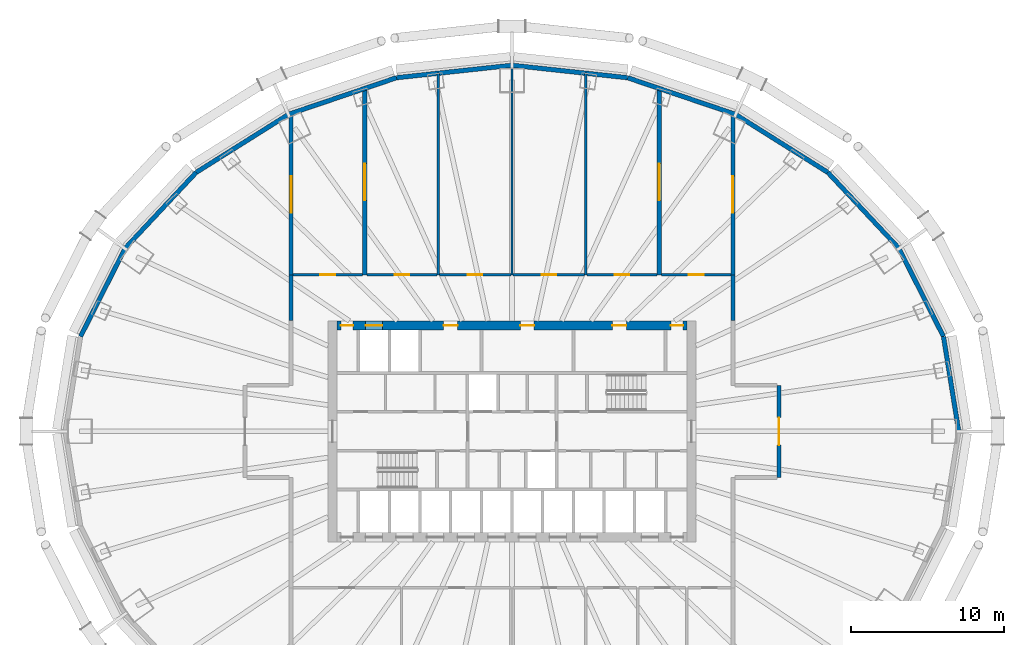
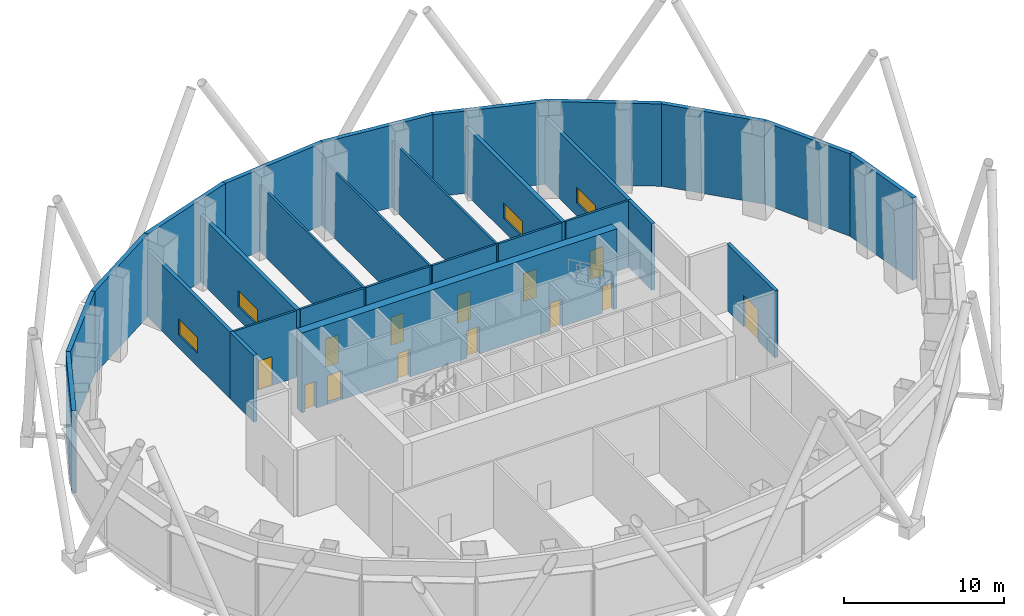
# One storey, part 6 of 13: 28 walls, 13 doors, 4 windows, 17 openings.
"""IFC4 building model written with IfcOpenShell, lengths in metres."""

from ifc_helpers import new_model, si_unit, direction, frame, frame_2d, origin, place, context, subcontext, project, spatial, rectangle, extrude, material, layer, layer_set, type_object, element, fill, save


model = new_model("IFC4")

# Units and contexts
model_context = context("Model", 3, precision=1e-05, world=origin(), true_north=direction((0.0, 1.0)))
body_context = subcontext(model_context, "Body", "Model", "MODEL_VIEW")
ifc_project = project(units=[si_unit("LENGTHUNIT", "METRE"), si_unit("AREAUNIT", "SQUARE_METRE"), si_unit("VOLUMEUNIT", "CUBIC_METRE"), si_unit("PLANEANGLEUNIT", "RADIAN"), si_unit("MASSUNIT", "GRAM", prefix="KILO")], contexts=[model_context])

# Site, building, storey
site_placement = place(None, origin())
site = spatial("IfcSite", under=ifc_project, at=site_placement, CompositionType="ELEMENT")
building_placement = place(site_placement, origin())
building = spatial("IfcBuilding", under=site, at=building_placement, Name="Siaravel Broadcast Tower", CompositionType="ELEMENT")
storey_placement = place(building_placement, frame((0.0, 0.0, 7.0)))
storey = spatial("IfcBuildingStorey", under=building, at=storey_placement, Name="L01", CompositionType="ELEMENT", Elevation=7.0)

# Wall, opening, window
ifc_material_1 = material(Name="Double-leaf acoustic partition", Category="gypsum")
ifc_layer_1 = layer(ifc_material_1, 0.280029296875)
ifc_layer_set_1 = layer_set([ifc_layer_1], Name="Double-leaf acoustic partition")
wall_type_1 = type_object("IfcWallType", Name="Acoustic double-leaf wall 280", PredefinedType="PARTITIONING", material=ifc_layer_set_1)
wall_1_placement = place(storey_placement, frame((-9.60009765625, 10.199951171875, 0.0), z_axis=(0.0, 0.0, 1.0), x_axis=(0.0, 1.0, 0.0)))
wall_1 = element("IfcWall", 1, at=wall_1_placement, inside=storey, type_object=wall_type_1, Name="L01 partition 8", PredefinedType="PARTITIONING", context=body_context, shape_type="SweptSolid", body=[
    extrude(rectangle(XDim=12.102783203125, YDim=0.280029296875, at=frame_2d((6.05126953125, 0.0))), origin(), (0.0, 0.0, 1.0), 5.10009765625),
])
opening_1_placement = place(wall_1_placement, frame((4.851318359375, 0.0, 1.0)))
opening_1 = element("IfcOpeningElement", 2, at=opening_1_placement, cuts=wall_1, Name="Opening L01-W01", PredefinedType="OPENING", context=body_context, shape_type="SweptSolid", body=[
    extrude(rectangle(XDim=2.39990234375, YDim=1.199951171875, at=frame_2d((1.199951171875, 0.60009765625))), frame((0.0, 0.14990234375, 0.0), z_axis=(0.0, -1.0, 0.0), x_axis=(1.0, 0.0, 0.0)), (0.0, 0.0, 1.0), 0.300048828125),
])
ifc_material_2 = material(Name="Laminated acoustic glass", Category="glass")
window_type = type_object("IfcWindowType", Name="Control room window 2400", PartitioningType="DOUBLE_PANEL_VERTICAL", PredefinedType="WINDOW", material=ifc_material_2)
window_1_placement = place(opening_1_placement, origin())
window_1 = element("IfcWindow", 3, at=window_1_placement, inside=storey, type_object=window_type, Name="L01 observation window 1", OverallHeight=1.199951171875, OverallWidth=2.39990234375, PartitioningType="SINGLE_PANEL", PredefinedType="WINDOW", context=body_context, shape_type="SweptSolid", body=[
    extrude(rectangle(XDim=2.39990234375, YDim=1.199951171875, at=frame_2d((1.199951171875, 0.60009765625))), frame((0.0, 0.030029296875, 0.0), z_axis=(0.0, -1.0, 0.0), x_axis=(1.0, 0.0, 0.0)), (0.0, 0.0, 1.0), 0.06005859375),
])
fill(opening_1, window_1)

wall_2_placement = place(storey_placement, frame((9.60009765625, 10.199951171875, 0.0), z_axis=(0.0, 0.0, 1.0), x_axis=(0.0, 1.0, 0.0)))
wall_2 = element("IfcWall", 4, at=wall_2_placement, inside=storey, type_object=wall_type_1, Name="L01 partition 9", PredefinedType="PARTITIONING", context=body_context, shape_type="SweptSolid", body=[
    extrude(rectangle(XDim=12.102783203125, YDim=0.280029296875, at=frame_2d((6.05126953125, 0.0))), origin(), (0.0, 0.0, 1.0), 5.10009765625),
])
opening_2_placement = place(wall_2_placement, frame((4.851318359375, 0.0, 1.0)))
opening_2 = element("IfcOpeningElement", 5, at=opening_2_placement, cuts=wall_2, Name="Opening L01-W02", PredefinedType="OPENING", context=body_context, shape_type="SweptSolid", body=[
    extrude(rectangle(XDim=2.39990234375, YDim=1.199951171875, at=frame_2d((1.199951171875, 0.60009765625))), frame((0.0, 0.14990234375, 0.0), z_axis=(0.0, -1.0, 0.0), x_axis=(1.0, 0.0, 0.0)), (0.0, 0.0, 1.0), 0.300048828125),
])
window_2_placement = place(opening_2_placement, origin())
window_2 = element("IfcWindow", 6, at=window_2_placement, inside=storey, type_object=window_type, Name="L01 observation window 2", OverallHeight=1.199951171875, OverallWidth=2.39990234375, PartitioningType="SINGLE_PANEL", PredefinedType="WINDOW", context=body_context, shape_type="SweptSolid", body=[
    extrude(rectangle(XDim=2.39990234375, YDim=1.199951171875, at=frame_2d((1.199951171875, 0.60009765625))), frame((0.0, 0.030029296875, 0.0), z_axis=(0.0, -1.0, 0.0), x_axis=(1.0, 0.0, 0.0)), (0.0, 0.0, 1.0), 0.06005859375),
])
fill(opening_2, window_2)

# Walls
ifc_material_3 = material(Name="Concrete C40/50", Category="concrete")
ifc_layer_2 = layer(ifc_material_3, 0.300048828125)
ifc_layer_set_2 = layer_set([ifc_layer_2], Name="Concrete C40/50")
wall_type_2 = type_object("IfcWallType", Name="Acoustic studio wall", PredefinedType="STANDARD", material=ifc_layer_set_2)
wall_3_placement = place(storey_placement, frame((29.125, 0.0, 0.0), z_axis=(0.0, 0.0, 1.0), x_axis=(-0.158684207, 0.987329389, 0.0)))
element("IfcWall", 7, at=wall_3_placement, inside=storey, type_object=wall_type_2, Name="L01 studio acoustic wall 01", PredefinedType="STANDARD", context=body_context, shape_type="SweptSolid", body=[
    extrude(rectangle(XDim=6.2587890625, YDim=0.300048828125, at=frame_2d((3.12939453125, 0.0))), origin(), (0.0, 0.0, 1.0), 6.300048828125),
])
wall_4_placement = place(storey_placement, frame((28.1318359375, 6.179443359375, 0.0), z_axis=(0.0, 0.0, 1.0), x_axis=(-0.45123552, 0.8924049, 0.0)))
element("IfcWall", 8, at=wall_4_placement, inside=storey, type_object=wall_type_2, Name="L01 studio acoustic wall 02", PredefinedType="STANDARD", context=body_context, shape_type="SweptSolid", body=[
    extrude(rectangle(XDim=6.451416015625, YDim=0.300048828125, at=frame_2d((3.2255859375, 0.0))), origin(), (0.0, 0.0, 1.0), 6.300048828125),
])
wall_5_placement = place(storey_placement, frame((25.220703125, 11.936767578125, 0.0), z_axis=(0.0, 0.0, 1.0), x_axis=(-0.683676058, 0.729785617, 0.0)))
element("IfcWall", 9, at=wall_5_placement, inside=storey, type_object=wall_type_2, Name="L01 studio acoustic wall 03", PredefinedType="STANDARD", context=body_context, shape_type="SweptSolid", body=[
    extrude(rectangle(XDim=6.77197265625, YDim=0.300048828125, at=frame_2d((3.385986328125, 0.0))), origin(), (0.0, 0.0, 1.0), 6.300048828125),
])
wall_6_placement = place(storey_placement, frame((20.5908203125, 16.87890625, 0.0), z_axis=(0.0, 0.0, 1.0), x_axis=(-0.846653753, 0.532144175, 0.0)))
element("IfcWall", 10, at=wall_6_placement, inside=storey, type_object=wall_type_2, Name="L01 studio acoustic wall 04", PredefinedType="STANDARD", context=body_context, shape_type="SweptSolid", body=[
    extrude(rectangle(XDim=7.12451171875, YDim=0.300048828125, at=frame_2d((3.562255859375, 0.0))), origin(), (0.0, 0.0, 1.0), 6.300048828125),
])
wall_7_placement = place(storey_placement, frame((14.558837890625, 20.670166015625, 0.0), z_axis=(0.0, 0.0, 1.0), x_axis=(-0.946977627, 0.321299508, 0.0)))
element("IfcWall", 11, at=wall_7_placement, inside=storey, type_object=wall_type_2, Name="L01 studio acoustic wall 05", PredefinedType="STANDARD", context=body_context, shape_type="SweptSolid", body=[
    extrude(rectangle(XDim=7.416259765625, YDim=0.300048828125, at=frame_2d((3.7080078125, 0.0))), origin(), (0.0, 0.0, 1.0), 6.300048828125),
])
for number, where, z_axis, x_axis, name in (
    (12, (7.535888671875, 23.052978515625, 0.0), (0.0, 0.0, 1.0), (-0.994234458, 0.107227995, 0.0), "L01 studio acoustic wall 06"),
    (13, (0.0, 23.86572265625, 0.0), (0.0, 0.0, 1.0), (-0.994234458, -0.107227995, 0.0), "L01 studio acoustic wall 07"),
):
    element("IfcWall", number, at=place(storey_placement, frame(where, z_axis=z_axis, x_axis=x_axis)), inside=storey, type_object=wall_type_2, Name=name, PredefinedType="STANDARD", context=body_context, shape_type="SweptSolid", body=[
        extrude(rectangle(XDim=7.57958984375, YDim=0.300048828125, at=frame_2d((3.789794921875, 0.0))), origin(), (0.0, 0.0, 1.0), 6.300048828125),
    ])
wall_8_placement = place(storey_placement, frame((-7.535888671875, 23.052978515625, 0.0), z_axis=(0.0, 0.0, 1.0), x_axis=(-0.946977627, -0.321299508, 0.0)))
element("IfcWall", 14, at=wall_8_placement, inside=storey, type_object=wall_type_2, Name="L01 studio acoustic wall 08", PredefinedType="STANDARD", context=body_context, shape_type="SweptSolid", body=[
    extrude(rectangle(XDim=7.416259765625, YDim=0.300048828125, at=frame_2d((3.7080078125, 0.0))), origin(), (0.0, 0.0, 1.0), 6.300048828125),
])
wall_9_placement = place(storey_placement, frame((-14.558837890625, 20.670166015625, 0.0), z_axis=(0.0, 0.0, 1.0), x_axis=(-0.846653753, -0.532144175, 0.0)))
element("IfcWall", 15, at=wall_9_placement, inside=storey, type_object=wall_type_2, Name="L01 studio acoustic wall 09", PredefinedType="STANDARD", context=body_context, shape_type="SweptSolid", body=[
    extrude(rectangle(XDim=7.12451171875, YDim=0.300048828125, at=frame_2d((3.562255859375, 0.0))), origin(), (0.0, 0.0, 1.0), 6.300048828125),
])
wall_10_placement = place(storey_placement, frame((-20.5908203125, 16.87890625, 0.0), z_axis=(0.0, 0.0, 1.0), x_axis=(-0.683676058, -0.729785617, 0.0)))
element("IfcWall", 16, at=wall_10_placement, inside=storey, type_object=wall_type_2, Name="L01 studio acoustic wall 10", PredefinedType="STANDARD", context=body_context, shape_type="SweptSolid", body=[
    extrude(rectangle(XDim=6.77197265625, YDim=0.300048828125, at=frame_2d((3.385986328125, 0.0))), origin(), (0.0, 0.0, 1.0), 6.300048828125),
])
wall_11_placement = place(storey_placement, frame((-25.220703125, 11.936767578125, 0.0), z_axis=(0.0, 0.0, 1.0), x_axis=(-0.45123552, -0.8924049, 0.0)))
element("IfcWall", 17, at=wall_11_placement, inside=storey, type_object=wall_type_2, Name="L01 studio acoustic wall 11", PredefinedType="STANDARD", context=body_context, shape_type="SweptSolid", body=[
    extrude(rectangle(XDim=6.451416015625, YDim=0.300048828125, at=frame_2d((3.2255859375, 0.0))), origin(), (0.0, 0.0, 1.0), 6.300048828125),
])

# Wall, openings, doors
ifc_material_4 = material(Name="Concrete C60/75", Category="concrete")
ifc_layer_3 = layer(ifc_material_4, 0.60009765625)
ifc_layer_set_3 = layer_set([ifc_layer_3], Name="Concrete C60/75")
wall_type_3 = type_object("IfcWallType", Name="Core wall 600", PredefinedType="SHEAR", material=ifc_layer_set_3)
wall_12_placement = place(storey_placement, frame((-11.39990234375, 6.89990234375, 0.0), z_axis=(0.0, 0.0, 1.0), x_axis=(1.0, 0.0, 0.0)))
wall_12 = element("IfcWall", 18, at=wall_12_placement, inside=storey, type_object=wall_type_3, Name="L01 core wall ON", PredefinedType="SHEAR", context=body_context, shape_type="SweptSolid", body=[
    extrude(rectangle(XDim=22.7998046875, YDim=0.60009765625, at=frame_2d((11.39990234375, 0.0))), origin(), (0.0, 0.0, 1.0), 6.10009765625),
])
opening_3_placement = place(wall_12_placement, frame((1.85009765625, 0.0, 0.0)))
opening_3 = element("IfcOpeningElement", 19, at=opening_3_placement, cuts=wall_12, Name="Opening LD-SV2-L01", PredefinedType="OPENING", context=body_context, shape_type="SweptSolid", body=[
    extrude(rectangle(XDim=1.10009765625, YDim=2.199951171875, at=frame_2d((0.550048828125, 1.10009765625))), frame((0.0, 0.31005859375, 0.0), z_axis=(0.0, -1.0, 0.0), x_axis=(1.0, 0.0, 0.0)), (0.0, 0.0, 1.0), 0.6201171875),
])
opening_4_placement = place(wall_12_placement, frame((6.949951171875, 0.0, 0.0)))
opening_4 = element("IfcOpeningElement", 20, at=opening_4_placement, cuts=wall_12, Name="Opening L01-DFN2", PredefinedType="OPENING", context=body_context, shape_type="SweptSolid", body=[
    extrude(rectangle(XDim=0.89990234375, YDim=2.10009765625, at=frame_2d((0.449951171875, 1.050048828125))), frame((0.0, 0.31005859375, 0.0), z_axis=(0.0, -1.0, 0.0), x_axis=(1.0, 0.0, 0.0)), (0.0, 0.0, 1.0), 0.6201171875),
])
opening_5_placement = place(wall_12_placement, frame((11.949951171875, 0.0, 0.0)))
opening_5 = element("IfcOpeningElement", 21, at=opening_5_placement, cuts=wall_12, Name="Opening L01-DFN4", PredefinedType="OPENING", context=body_context, shape_type="SweptSolid", body=[
    extrude(rectangle(XDim=0.89990234375, YDim=2.10009765625, at=frame_2d((0.449951171875, 1.050048828125))), frame((0.0, 0.31005859375, 0.0), z_axis=(0.0, -1.0, 0.0), x_axis=(1.0, 0.0, 0.0)), (0.0, 0.0, 1.0), 0.6201171875),
])
opening_6_placement = place(wall_12_placement, frame((17.949951171875, 0.0, 0.0)))
opening_6 = element("IfcOpeningElement", 22, at=opening_6_placement, cuts=wall_12, Name="Opening L01-DFN7", PredefinedType="OPENING", context=body_context, shape_type="SweptSolid", body=[
    extrude(rectangle(XDim=0.89990234375, YDim=2.10009765625, at=frame_2d((0.449951171875, 1.050048828125))), frame((0.0, 0.31005859375, 0.0), z_axis=(0.0, -1.0, 0.0), x_axis=(1.0, 0.0, 0.0)), (0.0, 0.0, 1.0), 0.6201171875),
])
opening_7_placement = place(wall_12_placement, frame((0.25, 0.0, 0.0)))
opening_7 = element("IfcOpeningElement", 23, at=opening_7_placement, cuts=wall_12, Name="Opening L01-DRNW", PredefinedType="OPENING", context=body_context, shape_type="SweptSolid", body=[
    extrude(rectangle(XDim=0.800048828125, YDim=2.050048828125, at=frame_2d((0.39990234375, 1.02490234375))), frame((0.0, 0.31005859375, 0.0), z_axis=(0.0, -1.0, 0.0), x_axis=(1.0, 0.0, 0.0)), (0.0, 0.0, 1.0), 0.6201171875),
])
opening_8_placement = place(wall_12_placement, frame((21.75, 0.0, 0.0)))
opening_8 = element("IfcOpeningElement", 24, at=opening_8_placement, cuts=wall_12, Name="Opening L01-DRNE", PredefinedType="OPENING", context=body_context, shape_type="SweptSolid", body=[
    extrude(rectangle(XDim=0.800048828125, YDim=2.050048828125, at=frame_2d((0.39990234375, 1.02490234375))), frame((0.0, 0.31005859375, 0.0), z_axis=(0.0, -1.0, 0.0), x_axis=(1.0, 0.0, 0.0)), (0.0, 0.0, 1.0), 0.6201171875),
])
ifc_material_5 = material(Name="Timber veneer", Category="wood")
door_type_1 = type_object("IfcDoorType", Name="Core room door 900", OperationType="SINGLE_SWING_LEFT", PredefinedType="DOOR", material=ifc_material_5)
door_1_placement = place(opening_4_placement, origin())
door_1 = element("IfcDoor", 25, at=door_1_placement, inside=storey, type_object=door_type_1, Name="L01 door DFN2", OperationType="SINGLE_SWING_LEFT", OverallHeight=2.10009765625, OverallWidth=0.89990234375, PredefinedType="DOOR", context=body_context, shape_type="SweptSolid", body=[
    extrude(rectangle(XDim=0.89990234375, YDim=2.10009765625, at=frame_2d((0.449951171875, 1.050048828125))), frame((0.0, 0.02490234375, 0.0), z_axis=(0.0, -1.0, 0.0), x_axis=(1.0, 0.0, 0.0)), (0.0, 0.0, 1.0), 0.050048828125),
])
fill(opening_4, door_1)
door_2_placement = place(opening_5_placement, origin())
door_2 = element("IfcDoor", 26, at=door_2_placement, inside=storey, type_object=door_type_1, Name="L01 door DFN4", OperationType="SINGLE_SWING_LEFT", OverallHeight=2.10009765625, OverallWidth=0.89990234375, PredefinedType="DOOR", context=body_context, shape_type="SweptSolid", body=[
    extrude(rectangle(XDim=0.89990234375, YDim=2.10009765625, at=frame_2d((0.449951171875, 1.050048828125))), frame((0.0, 0.02490234375, 0.0), z_axis=(0.0, -1.0, 0.0), x_axis=(1.0, 0.0, 0.0)), (0.0, 0.0, 1.0), 0.050048828125),
])
fill(opening_5, door_2)
door_3_placement = place(opening_6_placement, origin())
door_3 = element("IfcDoor", 27, at=door_3_placement, inside=storey, type_object=door_type_1, Name="L01 door DFN7", OperationType="SINGLE_SWING_LEFT", OverallHeight=2.10009765625, OverallWidth=0.89990234375, PredefinedType="DOOR", context=body_context, shape_type="SweptSolid", body=[
    extrude(rectangle(XDim=0.89990234375, YDim=2.10009765625, at=frame_2d((0.449951171875, 1.050048828125))), frame((0.0, 0.02490234375, 0.0), z_axis=(0.0, -1.0, 0.0), x_axis=(1.0, 0.0, 0.0)), (0.0, 0.0, 1.0), 0.050048828125),
])
fill(opening_6, door_3)
ifc_material_6 = material(Name="Steel", Category="steel")
door_type_2 = type_object("IfcDoorType", Name="Riser door 800", OperationType="SINGLE_SWING_LEFT", PredefinedType="DOOR", material=ifc_material_6)
door_4_placement = place(opening_7_placement, origin())
door_4 = element("IfcDoor", 28, at=door_4_placement, inside=storey, type_object=door_type_2, Name="L01 door DRNW", OperationType="SINGLE_SWING_LEFT", OverallHeight=2.050048828125, OverallWidth=0.800048828125, PredefinedType="DOOR", context=body_context, shape_type="SweptSolid", body=[
    extrude(rectangle(XDim=0.800048828125, YDim=2.050048828125, at=frame_2d((0.39990234375, 1.02490234375))), frame((0.0, 0.02490234375, 0.0), z_axis=(0.0, -1.0, 0.0), x_axis=(1.0, 0.0, 0.0)), (0.0, 0.0, 1.0), 0.050048828125),
])
fill(opening_7, door_4)
door_5_placement = place(opening_8_placement, origin())
door_5 = element("IfcDoor", 29, at=door_5_placement, inside=storey, type_object=door_type_2, Name="L01 door DRNE", OperationType="SINGLE_SWING_LEFT", OverallHeight=2.050048828125, OverallWidth=0.800048828125, PredefinedType="DOOR", context=body_context, shape_type="SweptSolid", body=[
    extrude(rectangle(XDim=0.800048828125, YDim=2.050048828125, at=frame_2d((0.39990234375, 1.02490234375))), frame((0.0, 0.02490234375, 0.0), z_axis=(0.0, -1.0, 0.0), x_axis=(1.0, 0.0, 0.0)), (0.0, 0.0, 1.0), 0.050048828125),
])
fill(opening_8, door_5)
ifc_material_7 = material(Name="Stainless steel 316L", Category="steel")
door_type_3 = type_object("IfcDoorType", Name="Service lift landing door 1100", OperationType="DOUBLE_DOOR_SLIDING", PredefinedType="DOOR", material=ifc_material_7)
door_6_placement = place(opening_3_placement, origin())
door_6 = element("IfcDoor", 30, at=door_6_placement, inside=storey, type_object=door_type_3, Name="Landing door SV2 L01", OperationType="DOUBLE_DOOR_SLIDING", OverallHeight=2.199951171875, OverallWidth=1.10009765625, PredefinedType="DOOR", context=body_context, shape_type="SweptSolid", body=[
    extrude(rectangle(XDim=1.10009765625, YDim=2.199951171875, at=frame_2d((0.550048828125, 1.10009765625))), frame((0.0, 0.02490234375, 0.0), z_axis=(0.0, -1.0, 0.0), x_axis=(1.0, 0.0, 0.0)), (0.0, 0.0, 1.0), 0.050048828125),
])
fill(opening_3, door_6)

# Wall, opening, door
ifc_material_8 = material(Name="Gypsum board partition", Category="gypsum")
ifc_layer_4 = layer(ifc_material_8, 0.14990234375)
ifc_layer_set_4 = layer_set([ifc_layer_4], Name="Gypsum board partition")
wall_type_4 = type_object("IfcWallType", Name="Corridor wall 150", PredefinedType="PARTITIONING", material=ifc_layer_set_4)
wall_13_placement = place(storey_placement, frame((-9.741943359375, 10.199951171875, 0.0), z_axis=(0.0, 0.0, 1.0), x_axis=(-1.0, 0.0, 0.0)))
wall_13 = element("IfcWall", 31, at=wall_13_placement, inside=storey, type_object=wall_type_4, Name="L01 partition 19", PredefinedType="PARTITIONING", context=body_context, shape_type="SweptSolid", body=[
    extrude(rectangle(XDim=4.531005859375, YDim=0.14990234375, at=frame_2d((2.265625, 0.0))), origin(), (0.0, 0.0, 1.0), 5.10009765625),
])
opening_9_placement = place(wall_13_placement, frame((1.765380859375, 0.0, 0.0)))
opening_9 = element("IfcOpeningElement", 32, at=opening_9_placement, cuts=wall_13, Name="Opening L01-001", PredefinedType="OPENING", context=body_context, shape_type="SweptSolid", body=[
    extrude(rectangle(XDim=1.0, YDim=2.199951171875, at=frame_2d((0.5, 1.10009765625))), frame((0.0, 0.0849609375, 0.0), z_axis=(0.0, -1.0, 0.0), x_axis=(1.0, 0.0, 0.0)), (0.0, 0.0, 1.0), 0.169921875),
])
ifc_material_9 = material(Name="Acoustic timber and steel", Category="steel")
door_type_4 = type_object("IfcDoorType", Name="Acoustic door 1000", OperationType="SINGLE_SWING_LEFT", PredefinedType="DOOR", material=ifc_material_9)
door_7_placement = place(opening_9_placement, origin())
door_7 = element("IfcDoor", 33, at=door_7_placement, inside=storey, type_object=door_type_4, Name="L01 door to Studio A control room", OperationType="SINGLE_SWING_LEFT", OverallHeight=2.199951171875, OverallWidth=1.0, PredefinedType="DOOR", context=body_context, shape_type="SweptSolid", body=[
    extrude(rectangle(XDim=1.0, YDim=2.199951171875, at=frame_2d((0.5, 1.10009765625))), frame((0.0, 0.02490234375, 0.0), z_axis=(0.0, -1.0, 0.0), x_axis=(1.0, 0.0, 0.0)), (0.0, 0.0, 1.0), 0.050048828125),
])
fill(opening_9, door_7)

wall_14_placement = place(storey_placement, frame((14.27294921875, 10.199951171875, 0.0), z_axis=(0.0, 0.0, 1.0), x_axis=(-1.0, 0.0, 0.0)))
wall_14 = element("IfcWall", 34, at=wall_14_placement, inside=storey, type_object=wall_type_4, Name="L01 partition 20", PredefinedType="PARTITIONING", context=body_context, shape_type="SweptSolid", body=[
    extrude(rectangle(XDim=4.531005859375, YDim=0.14990234375, at=frame_2d((2.265625, 0.0))), origin(), (0.0, 0.0, 1.0), 5.10009765625),
])
opening_10_placement = place(wall_14_placement, frame((1.765380859375, 0.0, 0.0)))
opening_10 = element("IfcOpeningElement", 35, at=opening_10_placement, cuts=wall_14, Name="Opening L01-006", PredefinedType="OPENING", context=body_context, shape_type="SweptSolid", body=[
    extrude(rectangle(XDim=1.0, YDim=2.199951171875, at=frame_2d((0.5, 1.10009765625))), frame((0.0, 0.0849609375, 0.0), z_axis=(0.0, -1.0, 0.0), x_axis=(1.0, 0.0, 0.0)), (0.0, 0.0, 1.0), 0.169921875),
])
door_8_placement = place(opening_10_placement, origin())
door_8 = element("IfcDoor", 36, at=door_8_placement, inside=storey, type_object=door_type_4, Name="L01 door to Studio B control room", OperationType="SINGLE_SWING_RIGHT", OverallHeight=2.199951171875, OverallWidth=1.0, PredefinedType="DOOR", context=body_context, shape_type="SweptSolid", body=[
    extrude(rectangle(XDim=1.0, YDim=2.199951171875, at=frame_2d((0.5, 1.10009765625))), frame((0.0, 0.02490234375, 0.0), z_axis=(0.0, -1.0, 0.0), x_axis=(1.0, 0.0, 0.0)), (0.0, 0.0, 1.0), 0.050048828125),
])
fill(opening_10, door_8)

wall_15_placement = place(storey_placement, frame((-4.876953125, 10.199951171875, 0.0), z_axis=(0.0, 0.0, 1.0), x_axis=(-1.0, 0.0, 0.0)))
wall_15 = element("IfcWall", 37, at=wall_15_placement, inside=storey, type_object=wall_type_4, Name="L01 partition 21", PredefinedType="PARTITIONING", context=body_context, shape_type="SweptSolid", body=[
    extrude(rectangle(XDim=4.5810546875, YDim=0.14990234375, at=frame_2d((2.29052734375, 0.0))), origin(), (0.0, 0.0, 1.0), 5.10009765625),
])
opening_11_placement = place(wall_15_placement, frame((1.8154296875, 0.0, 0.0)))
opening_11 = element("IfcOpeningElement", 38, at=opening_11_placement, cuts=wall_15, Name="Opening L01-002", PredefinedType="OPENING", context=body_context, shape_type="SweptSolid", body=[
    extrude(rectangle(XDim=0.949951171875, YDim=2.14990234375, at=frame_2d((0.47509765625, 1.074951171875))), frame((0.0, 0.0849609375, 0.0), z_axis=(0.0, -1.0, 0.0), x_axis=(1.0, 0.0, 0.0)), (0.0, 0.0, 1.0), 0.169921875),
])
door_type_5 = type_object("IfcDoorType", Name="Office door 950", OperationType="SINGLE_SWING_LEFT", PredefinedType="DOOR", material=ifc_material_5)
door_9_placement = place(opening_11_placement, origin())
door_9 = element("IfcDoor", 39, at=door_9_placement, inside=storey, type_object=door_type_5, Name="L01 door to Make-up room", OperationType="SINGLE_SWING_RIGHT", OverallHeight=2.14990234375, OverallWidth=0.949951171875, PredefinedType="DOOR", context=body_context, shape_type="SweptSolid", body=[
    extrude(rectangle(XDim=0.949951171875, YDim=2.14990234375, at=frame_2d((0.47509765625, 1.074951171875))), frame((0.0, 0.02490234375, 0.0), z_axis=(0.0, -1.0, 0.0), x_axis=(1.0, 0.0, 0.0)), (0.0, 0.0, 1.0), 0.050048828125),
])
fill(opening_11, door_9)

wall_16_placement = place(storey_placement, frame((-0.076904296875, 10.199951171875, 0.0), z_axis=(0.0, 0.0, 1.0), x_axis=(-1.0, 0.0, 0.0)))
wall_16 = element("IfcWall", 40, at=wall_16_placement, inside=storey, type_object=wall_type_4, Name="L01 partition 23", PredefinedType="PARTITIONING", context=body_context, shape_type="SweptSolid", body=[
    extrude(rectangle(XDim=4.64599609375, YDim=0.14990234375, at=frame_2d((2.322998046875, 0.0))), origin(), (0.0, 0.0, 1.0), 5.10009765625),
])
opening_12_placement = place(wall_16_placement, frame((1.847900390625, 0.0, 0.0)))
opening_12 = element("IfcOpeningElement", 41, at=opening_12_placement, cuts=wall_16, Name="Opening L01-003", PredefinedType="OPENING", context=body_context, shape_type="SweptSolid", body=[
    extrude(rectangle(XDim=0.949951171875, YDim=2.14990234375, at=frame_2d((0.47509765625, 1.074951171875))), frame((0.0, 0.0849609375, 0.0), z_axis=(0.0, -1.0, 0.0), x_axis=(1.0, 0.0, 0.0)), (0.0, 0.0, 1.0), 0.169921875),
])
door_10_placement = place(opening_12_placement, origin())
door_10 = element("IfcDoor", 42, at=door_10_placement, inside=storey, type_object=door_type_5, Name="L01 door to Green room", OperationType="SINGLE_SWING_LEFT", OverallHeight=2.14990234375, OverallWidth=0.949951171875, PredefinedType="DOOR", context=body_context, shape_type="SweptSolid", body=[
    extrude(rectangle(XDim=0.949951171875, YDim=2.14990234375, at=frame_2d((0.47509765625, 1.074951171875))), frame((0.0, 0.02490234375, 0.0), z_axis=(0.0, -1.0, 0.0), x_axis=(1.0, 0.0, 0.0)), (0.0, 0.0, 1.0), 0.050048828125),
])
fill(opening_12, door_10)

wall_17_placement = place(storey_placement, frame((4.722900390625, 10.199951171875, 0.0), z_axis=(0.0, 0.0, 1.0), x_axis=(-1.0, 0.0, 0.0)))
wall_17 = element("IfcWall", 43, at=wall_17_placement, inside=storey, type_object=wall_type_4, Name="L01 partition 24", PredefinedType="PARTITIONING", context=body_context, shape_type="SweptSolid", body=[
    extrude(rectangle(XDim=4.64599609375, YDim=0.14990234375, at=frame_2d((2.322998046875, 0.0))), origin(), (0.0, 0.0, 1.0), 5.10009765625),
])
opening_13_placement = place(wall_17_placement, frame((1.847900390625, 0.0, 0.0)))
opening_13 = element("IfcOpeningElement", 44, at=opening_13_placement, cuts=wall_17, Name="Opening L01-004", PredefinedType="OPENING", context=body_context, shape_type="SweptSolid", body=[
    extrude(rectangle(XDim=0.949951171875, YDim=2.14990234375, at=frame_2d((0.47509765625, 1.074951171875))), frame((0.0, 0.0849609375, 0.0), z_axis=(0.0, -1.0, 0.0), x_axis=(1.0, 0.0, 0.0)), (0.0, 0.0, 1.0), 0.169921875),
])
door_11_placement = place(opening_13_placement, origin())
door_11 = element("IfcDoor", 45, at=door_11_placement, inside=storey, type_object=door_type_5, Name="L01 door to Dressing room", OperationType="SINGLE_SWING_RIGHT", OverallHeight=2.14990234375, OverallWidth=0.949951171875, PredefinedType="DOOR", context=body_context, shape_type="SweptSolid", body=[
    extrude(rectangle(XDim=0.949951171875, YDim=2.14990234375, at=frame_2d((0.47509765625, 1.074951171875))), frame((0.0, 0.02490234375, 0.0), z_axis=(0.0, -1.0, 0.0), x_axis=(1.0, 0.0, 0.0)), (0.0, 0.0, 1.0), 0.050048828125),
])
fill(opening_13, door_11)

wall_18_placement = place(storey_placement, frame((9.4580078125, 10.199951171875, 0.0), z_axis=(0.0, 0.0, 1.0), x_axis=(-1.0, 0.0, 0.0)))
wall_18 = element("IfcWall", 46, at=wall_18_placement, inside=storey, type_object=wall_type_4, Name="L01 partition 25", PredefinedType="PARTITIONING", context=body_context, shape_type="SweptSolid", body=[
    extrude(rectangle(XDim=4.5810546875, YDim=0.14990234375, at=frame_2d((2.29052734375, 0.0))), origin(), (0.0, 0.0, 1.0), 5.10009765625),
])
opening_14_placement = place(wall_18_placement, frame((1.8154296875, 0.0, 0.0)))
opening_14 = element("IfcOpeningElement", 47, at=opening_14_placement, cuts=wall_18, Name="Opening L01-005", PredefinedType="OPENING", context=body_context, shape_type="SweptSolid", body=[
    extrude(rectangle(XDim=0.949951171875, YDim=2.14990234375, at=frame_2d((0.47509765625, 1.074951171875))), frame((0.0, 0.0849609375, 0.0), z_axis=(0.0, -1.0, 0.0), x_axis=(1.0, 0.0, 0.0)), (0.0, 0.0, 1.0), 0.169921875),
])
door_12_placement = place(opening_14_placement, origin())
door_12 = element("IfcDoor", 48, at=door_12_placement, inside=storey, type_object=door_type_5, Name="L01 door to Props store", OperationType="SINGLE_SWING_LEFT", OverallHeight=2.14990234375, OverallWidth=0.949951171875, PredefinedType="DOOR", context=body_context, shape_type="SweptSolid", body=[
    extrude(rectangle(XDim=0.949951171875, YDim=2.14990234375, at=frame_2d((0.47509765625, 1.074951171875))), frame((0.0, 0.02490234375, 0.0), z_axis=(0.0, -1.0, 0.0), x_axis=(1.0, 0.0, 0.0)), (0.0, 0.0, 1.0), 0.050048828125),
])
fill(opening_14, door_12)

# Walls
ifc_layer_5 = layer(ifc_material_8, 0.14990234375)
ifc_layer_set_5 = layer_set([ifc_layer_5], Name="Gypsum board partition")
wall_type_5 = type_object("IfcWallType", Name="Room partition 150", PredefinedType="PARTITIONING", material=ifc_layer_set_5)
wall_19_placement = place(storey_placement, frame((0.0, 10.199951171875, 0.0), z_axis=(0.0, 0.0, 1.0), x_axis=(0.0, 1.0, 0.0)))
element("IfcWall", 49, at=wall_19_placement, inside=storey, type_object=wall_type_5, Name="L01 partition 2", PredefinedType="PARTITIONING", context=body_context, shape_type="SweptSolid", body=[
    extrude(rectangle(XDim=13.61572265625, YDim=0.14990234375, at=frame_2d((6.807861328125, 0.0))), origin(), (0.0, 0.0, 1.0), 5.10009765625),
])
for number, where, z_axis, x_axis, name in (
    (50, (-4.800048828125, 10.199951171875, 0.0), (0.0, 0.0, 1.0), (0.0, 1.0, 0.0), "L01 partition 3"),
    (51, (4.800048828125, 10.199951171875, 0.0), (0.0, 0.0, 1.0), (0.0, 1.0, 0.0), "L01 partition 5"),
):
    element("IfcWall", number, at=place(storey_placement, frame(where, z_axis=z_axis, x_axis=x_axis)), inside=storey, type_object=wall_type_5, Name=name, PredefinedType="PARTITIONING", context=body_context, shape_type="SweptSolid", body=[
        extrude(rectangle(XDim=13.16015625, YDim=0.14990234375, at=frame_2d((6.580078125, 0.0))), origin(), (0.0, 0.0, 1.0), 5.10009765625),
    ])

# Wall, opening, window
ifc_material_10 = material(Name="Concrete blockwork", Category="masonry")
ifc_layer_6 = layer(ifc_material_10, 0.25)
ifc_layer_set_6 = layer_set([ifc_layer_6], Name="Concrete blockwork")
wall_type_6 = type_object("IfcWallType", Name="Studio wall 250", PredefinedType="PARTITIONING", material=ifc_layer_set_6)
wall_20_placement = place(storey_placement, frame((-14.39990234375, 10.199951171875, 0.0), z_axis=(0.0, 0.0, 1.0), x_axis=(0.0, 1.0, 0.0)))
wall_20 = element("IfcWall", 52, at=wall_20_placement, inside=storey, type_object=wall_type_6, Name="L01 partition 12", PredefinedType="PARTITIONING", context=body_context, shape_type="SweptSolid", body=[
    extrude(rectangle(XDim=10.47412109375, YDim=0.25, at=frame_2d((5.237060546875, 0.0))), origin(), (0.0, 0.0, 1.0), 5.10009765625),
])
opening_15_placement = place(wall_20_placement, frame((4.037109375, 0.0, 1.0)))
opening_15 = element("IfcOpeningElement", 53, at=opening_15_placement, cuts=wall_20, Name="Opening L01-W03", PredefinedType="OPENING", context=body_context, shape_type="SweptSolid", body=[
    extrude(rectangle(XDim=2.39990234375, YDim=1.199951171875, at=frame_2d((1.199951171875, 0.60009765625))), frame((0.0, 0.135009765625, 0.0), z_axis=(0.0, -1.0, 0.0), x_axis=(1.0, 0.0, 0.0)), (0.0, 0.0, 1.0), 0.27001953125),
])
window_3_placement = place(opening_15_placement, origin())
window_3 = element("IfcWindow", 54, at=window_3_placement, inside=storey, type_object=window_type, Name="L01 observation window 3", OverallHeight=1.199951171875, OverallWidth=2.39990234375, PartitioningType="SINGLE_PANEL", PredefinedType="WINDOW", context=body_context, shape_type="SweptSolid", body=[
    extrude(rectangle(XDim=2.39990234375, YDim=1.199951171875, at=frame_2d((1.199951171875, 0.60009765625))), frame((0.0, 0.030029296875, 0.0), z_axis=(0.0, -1.0, 0.0), x_axis=(1.0, 0.0, 0.0)), (0.0, 0.0, 1.0), 0.06005859375),
])
fill(opening_15, window_3)

wall_21_placement = place(storey_placement, frame((14.39990234375, 20.674072265625, 0.0), z_axis=(0.0, 0.0, 1.0), x_axis=(0.0, -1.0, 0.0)))
wall_21 = element("IfcWall", 55, at=wall_21_placement, inside=storey, type_object=wall_type_6, Name="L01 partition 14", PredefinedType="PARTITIONING", context=body_context, shape_type="SweptSolid", body=[
    extrude(rectangle(XDim=10.47412109375, YDim=0.25, at=frame_2d((5.237060546875, 0.0))), origin(), (0.0, 0.0, 1.0), 5.10009765625),
])
opening_16_placement = place(wall_21_placement, frame((4.037109375, 0.0, 1.0)))
opening_16 = element("IfcOpeningElement", 56, at=opening_16_placement, cuts=wall_21, Name="Opening L01-W04", PredefinedType="OPENING", context=body_context, shape_type="SweptSolid", body=[
    extrude(rectangle(XDim=2.39990234375, YDim=1.199951171875, at=frame_2d((1.199951171875, 0.60009765625))), frame((0.0, 0.135009765625, 0.0), z_axis=(0.0, -1.0, 0.0), x_axis=(1.0, 0.0, 0.0)), (0.0, 0.0, 1.0), 0.27001953125),
])
window_4_placement = place(opening_16_placement, origin())
window_4 = element("IfcWindow", 57, at=window_4_placement, inside=storey, type_object=window_type, Name="L01 observation window 4", OverallHeight=1.199951171875, OverallWidth=2.39990234375, PartitioningType="SINGLE_PANEL", PredefinedType="WINDOW", context=body_context, shape_type="SweptSolid", body=[
    extrude(rectangle(XDim=2.39990234375, YDim=1.199951171875, at=frame_2d((1.199951171875, 0.60009765625))), frame((0.0, 0.030029296875, 0.0), z_axis=(0.0, -1.0, 0.0), x_axis=(1.0, 0.0, 0.0)), (0.0, 0.0, 1.0), 0.06005859375),
])
fill(opening_16, window_4)

# Wall, opening, door
wall_22_placement = place(storey_placement, frame((17.39990234375, -3.0, 0.0), z_axis=(0.0, 0.0, 1.0), x_axis=(0.0, 1.0, 0.0)))
wall_22 = element("IfcWall", 58, at=wall_22_placement, inside=storey, type_object=wall_type_6, Name="L01 partition 18", PredefinedType="PARTITIONING", context=body_context, shape_type="SweptSolid", body=[
    extrude(rectangle(XDim=6.0, YDim=0.25, at=frame_2d((3.0, 0.0))), origin(), (0.0, 0.0, 1.0), 5.10009765625),
])
opening_17_placement = place(wall_22_placement, frame((2.10009765625, 0.0, 0.0)))
opening_17 = element("IfcOpeningElement", 59, at=opening_17_placement, cuts=wall_22, Name="Opening L01-014", PredefinedType="OPENING", context=body_context, shape_type="SweptSolid", body=[
    extrude(rectangle(XDim=1.800048828125, YDim=2.39990234375, at=frame_2d((0.89990234375, 1.199951171875))), frame((0.0, 0.135009765625, 0.0), z_axis=(0.0, -1.0, 0.0), x_axis=(1.0, 0.0, 0.0)), (0.0, 0.0, 1.0), 0.27001953125),
])
door_type_6 = type_object("IfcDoorType", Name="Studio sound door 1800", OperationType="DOUBLE_DOOR_SINGLE_SWING", PredefinedType="DOOR", material=ifc_material_9)
door_13_placement = place(opening_17_placement, origin())
door_13 = element("IfcDoor", 60, at=door_13_placement, inside=storey, type_object=door_type_6, Name="L01 door to Studio B", OperationType="DOUBLE_DOOR_SINGLE_SWING", OverallHeight=2.39990234375, OverallWidth=1.800048828125, PredefinedType="DOOR", context=body_context, shape_type="SweptSolid", body=[
    extrude(rectangle(XDim=1.800048828125, YDim=2.39990234375, at=frame_2d((0.89990234375, 1.199951171875))), frame((0.0, 0.02490234375, 0.0), z_axis=(0.0, -1.0, 0.0), x_axis=(1.0, 0.0, 0.0)), (0.0, 0.0, 1.0), 0.050048828125),
])
fill(opening_17, door_13)

# Walls
for number, where, z_axis, x_axis, name in (
    (61, (-14.39990234375, 10.198974609375, 0.0), (0.0, 0.0, 1.0), (0.0, -1.0, 0.0), "L01 partition 33"),
    (62, (14.39990234375, 7.212890625, 0.0), (0.0, 0.0, 1.0), (0.0, 1.0, 0.0), "L01 partition 35"),
):
    element("IfcWall", number, at=place(storey_placement, frame(where, z_axis=z_axis, x_axis=x_axis)), inside=storey, type_object=wall_type_6, Name=name, PredefinedType="PARTITIONING", context=body_context, shape_type="SweptSolid", body=[
        extrude(rectangle(XDim=2.986083984375, YDim=0.25, at=frame_2d((1.4931640625, 0.0))), origin(), (0.0, 0.0, 1.0), 5.10009765625),
    ])

save(model, "model.ifc")
